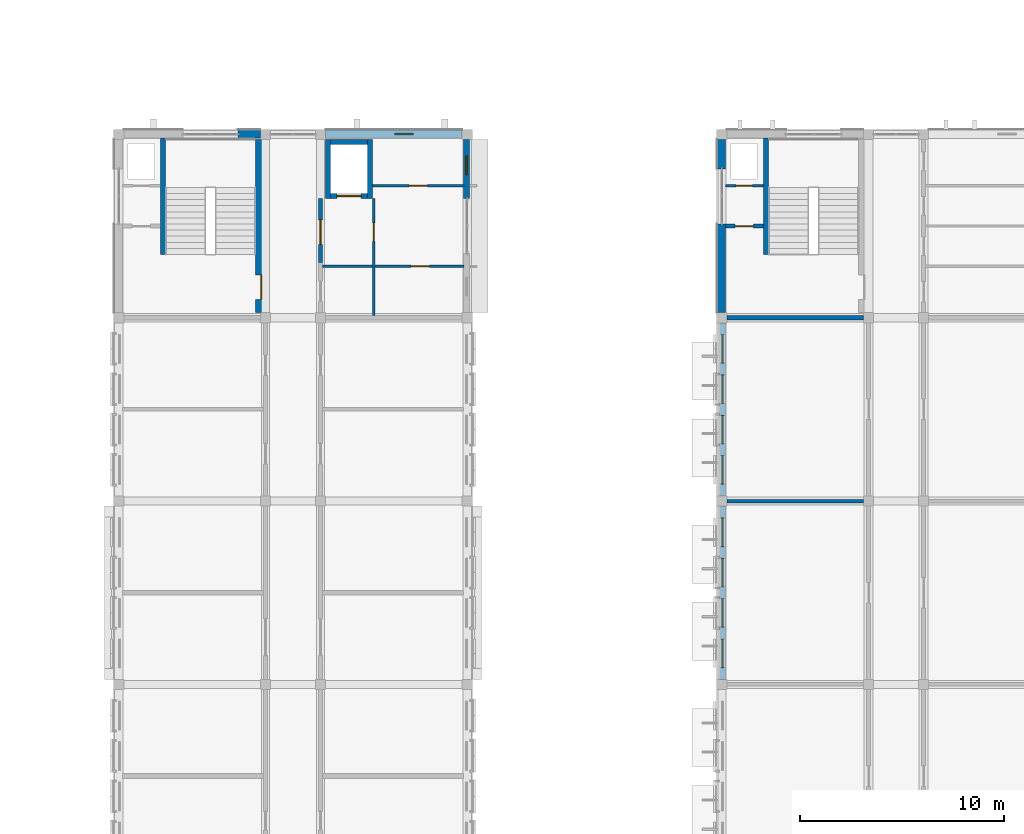
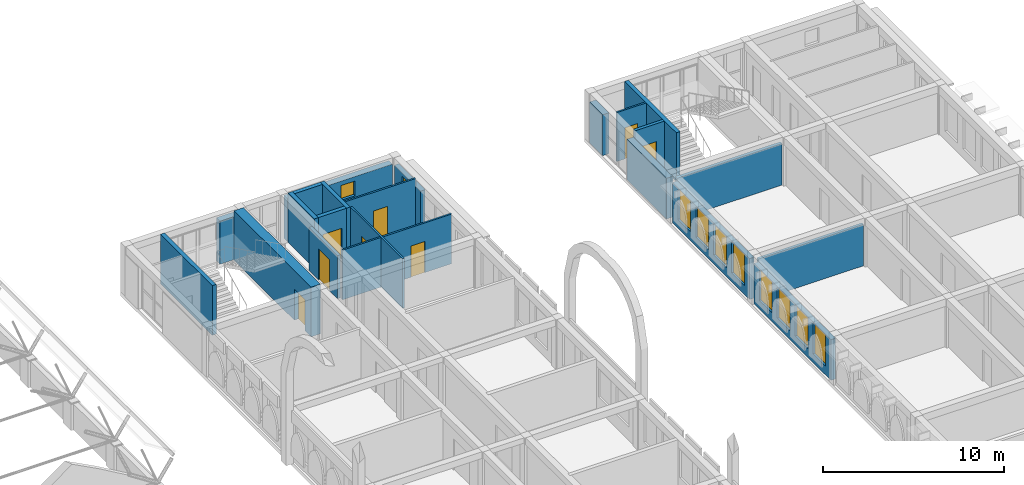
# One storey, part 42 of 65: 22 walls, 10 windows, 8 doors, 18 openings.
"""IFC4 building model written with IfcOpenShell, lengths in metres."""

from ifc_helpers import new_model, si_unit, direction, frame, frame_2d, origin, place, context, subcontext, project, spatial, rectangle, extrude, material, layer, layer_set, type_object, element, fill, save


model = new_model("IFC4")

# Units and contexts
model_context = context("Model", 3, precision=1e-05, world=origin(), true_north=direction((0.0, 1.0)))
body_context = subcontext(model_context, "Body", "Model", "MODEL_VIEW")
ifc_project = project(units=[si_unit("LENGTHUNIT", "METRE"), si_unit("AREAUNIT", "SQUARE_METRE"), si_unit("VOLUMEUNIT", "CUBIC_METRE"), si_unit("PLANEANGLEUNIT", "RADIAN"), si_unit("MASSUNIT", "GRAM", prefix="KILO")], contexts=[model_context])

# Site, building, storey
site_placement = place(None, origin())
site = spatial("IfcSite", under=ifc_project, at=site_placement, CompositionType="ELEMENT")
building_placement = place(site_placement, origin())
building = spatial("IfcBuilding", under=site, at=building_placement, Name="Elbe Cascade School", CompositionType="ELEMENT")
storey_placement = place(building_placement, frame((0.0, 0.0, 11.699951171875)))
storey = spatial("IfcBuildingStorey", under=building, at=storey_placement, Name="L03", CompositionType="ELEMENT", Elevation=11.699951171875)

# Wall
ifc_material_1 = material(Name="Masonry - lime-sand block, plastered", Category="masonry")
ifc_layer_1 = layer(ifc_material_1, 0.175048828125)
ifc_layer_set_1 = layer_set([ifc_layer_1], Name="Masonry - lime-sand block, plastered")
wall_type_1 = type_object("IfcWallType", Name="Bar classroom partition wall lime-sand block 175", PredefinedType="PARTITIONING", material=ifc_layer_set_1)
wall_1_placement = place(storey_placement, frame((98.85009765625, 42.0, 0.0), z_axis=(0.0, 0.0, 1.0), x_axis=(1.0, 0.0, 0.0)))
element("IfcWall", 1, at=wall_1_placement, inside=storey, type_object=wall_type_1, Name="Bar classroom partition wall lime-sand block 175", PredefinedType="PARTITIONING", context=body_context, shape_type="SweptSolid", body=[
    extrude(rectangle(XDim=6.699951171875, YDim=0.175048828125, at=frame_2d((3.35009765625, 0.0))), origin(), (0.0, 0.0, 1.0), 2.800048828125),
])

# Wall, opening, door
ifc_material_2 = material(Name="Masonry - lime-sand block, plastered", Category="masonry")
ifc_layer_2 = layer(ifc_material_2, 0.199951171875)
ifc_layer_set_2 = layer_set([ifc_layer_2], Name="Masonry - lime-sand block, plastered")
wall_type_2 = type_object("IfcWallType", Name="Bar corridor wall lime-sand block 200 EI 30", PredefinedType="PARTITIONING", material=ifc_layer_set_2)
wall_2_placement = place(storey_placement, frame((78.89990234375, 56.85009765625, 0.0), z_axis=(0.0, 0.0, 1.0), x_axis=(0.0, -1.0, 0.0)))
wall_2 = element("IfcWall", 2, at=wall_2_placement, inside=storey, type_object=wall_type_2, Name="Bar corridor wall lime-sand block 200 EI 30", PredefinedType="PARTITIONING", context=body_context, shape_type="SweptSolid", body=[
    extrude(rectangle(XDim=3.150146484375, YDim=0.199951171875, at=frame_2d((1.5751953125, 0.0))), origin(), (0.0, 0.0, 1.0), 2.900146484375),
])
opening_1_placement = place(wall_2_placement, frame((1.050048828125, 0.0, 0.0)))
opening_1 = element("IfcOpeningElement", 3, at=opening_1_placement, cuts=wall_2, Name="Opening D3.023", PredefinedType="OPENING", context=body_context, shape_type="SweptSolid", body=[
    extrude(rectangle(XDim=1.199951171875, YDim=2.10009765625, at=frame_2d((0.60009765625, 1.050048828125))), frame((0.0, 0.10986328125, 0.0), z_axis=(0.0, -1.0, 0.0), x_axis=(1.0, 0.0, 0.0)), (0.0, 0.0, 1.0), 0.219970703125),
])
ifc_material_3 = material(Name="Timber door leaf, fire-resisting and smoke-tight, steel frame", Category="steel")
door_type_1 = type_object("IfcDoorType", Name="Bar door FD30S 1200x2100", OperationType="NOTDEFINED", PredefinedType="DOOR", material=ifc_material_3)
door_1_placement = place(opening_1_placement, origin())
door_1 = element("IfcDoor", 4, at=door_1_placement, inside=storey, type_object=door_type_1, Name="Door A3.15", OperationType="SINGLE_SWING_LEFT", OverallHeight=2.10009765625, OverallWidth=1.199951171875, PredefinedType="DOOR", context=body_context, shape_type="SweptSolid", body=[
    extrude(rectangle(XDim=1.199951171875, YDim=2.10009765625, at=frame_2d((0.60009765625, 1.050048828125))), frame((0.0, 0.02490234375, 0.0), z_axis=(0.0, -1.0, 0.0), x_axis=(1.0, 0.0, 0.0)), (0.0, 0.0, 1.0), 0.050048828125),
])
fill(opening_1, door_1)

ifc_material_4 = material(Name="Masonry - lime-sand block, plastered", Category="masonry")
ifc_layer_3 = layer(ifc_material_4, 0.114990234375)
ifc_layer_set_3 = layer_set([ifc_layer_3], Name="Masonry - lime-sand block, plastered")
wall_type_3 = type_object("IfcWallType", Name="Bar light partition wall lime-sand block 115", PredefinedType="PARTITIONING", material=ifc_layer_set_3)
wall_3_placement = place(storey_placement, frame((81.507568359375, 56.85009765625, 0.0), z_axis=(0.0, 0.0, 1.0), x_axis=(0.0, -1.0, 0.0)))
wall_3 = element("IfcWall", 5, at=wall_3_placement, inside=storey, type_object=wall_type_3, Name="Bar light partition wall lime-sand block 115", PredefinedType="PARTITIONING", context=body_context, shape_type="SweptSolid", body=[
    extrude(rectangle(XDim=5.75, YDim=0.114990234375, at=frame_2d((2.875, 0.0))), origin(), (0.0, 0.0, 1.0), 3.35009765625),
])
opening_2_placement = place(wall_3_placement, frame((1.199951171875, 0.0, 0.0)))
opening_2 = element("IfcOpeningElement", 6, at=opening_2_placement, cuts=wall_3, Name="Opening D3.024", PredefinedType="OPENING", context=body_context, shape_type="SweptSolid", body=[
    extrude(rectangle(XDim=0.89990234375, YDim=2.10009765625, at=frame_2d((0.449951171875, 1.050048828125))), frame((0.0, 0.0673828125, 0.0), z_axis=(0.0, -1.0, 0.0), x_axis=(1.0, 0.0, 0.0)), (0.0, 0.0, 1.0), 0.135009765625),
])
ifc_material_5 = material(Name="Timber door leaf, steel frame", Category="steel")
door_type_2 = type_object("IfcDoorType", Name="Bar door 900x2100", OperationType="NOTDEFINED", PredefinedType="DOOR", material=ifc_material_5)
door_2_placement = place(opening_2_placement, origin())
door_2 = element("IfcDoor", 7, at=door_2_placement, inside=storey, type_object=door_type_2, Name="Door A3.16", OperationType="SINGLE_SWING_LEFT", OverallHeight=2.10009765625, OverallWidth=0.89990234375, PredefinedType="DOOR", context=body_context, shape_type="SweptSolid", body=[
    extrude(rectangle(XDim=0.89990234375, YDim=2.10009765625, at=frame_2d((0.449951171875, 1.050048828125))), frame((0.0, 0.02490234375, 0.0), z_axis=(0.0, -1.0, 0.0), x_axis=(1.0, 0.0, 0.0)), (0.0, 0.0, 1.0), 0.050048828125),
])
fill(opening_2, door_2)

wall_4_placement = place(storey_placement, frame((81.449951171875, 57.47998046875, 0.0), z_axis=(0.0, 0.0, 1.0), x_axis=(1.0, 0.0, 0.0)))
wall_4 = element("IfcWall", 8, at=wall_4_placement, inside=storey, type_object=wall_type_3, Name="Bar light partition wall lime-sand block 115", PredefinedType="PARTITIONING", context=body_context, shape_type="SweptSolid", body=[
    extrude(rectangle(XDim=4.5, YDim=0.114990234375, at=frame_2d((2.25, 0.0))), origin(), (0.0, 0.0, 1.0), 3.35009765625),
])
opening_3_placement = place(wall_4_placement, frame((1.800048828125, 0.0, 0.0)))
opening_3 = element("IfcOpeningElement", 9, at=opening_3_placement, cuts=wall_4, Name="Opening D3.028", PredefinedType="OPENING", context=body_context, shape_type="SweptSolid", body=[
    extrude(rectangle(XDim=0.89990234375, YDim=2.10009765625, at=frame_2d((0.449951171875, 1.050048828125))), frame((0.0, 0.0673828125, 0.0), z_axis=(0.0, -1.0, 0.0), x_axis=(1.0, 0.0, 0.0)), (0.0, 0.0, 1.0), 0.135009765625),
])
door_3_placement = place(opening_3_placement, origin())
door_3 = element("IfcDoor", 10, at=door_3_placement, inside=storey, type_object=door_type_2, Name="Door A3.17", OperationType="SINGLE_SWING_LEFT", OverallHeight=2.10009765625, OverallWidth=0.89990234375, PredefinedType="DOOR", context=body_context, shape_type="SweptSolid", body=[
    extrude(rectangle(XDim=0.89990234375, YDim=2.10009765625, at=frame_2d((0.449951171875, 1.050048828125))), frame((0.0, 0.02490234375, 0.0), z_axis=(0.0, -1.0, 0.0), x_axis=(1.0, 0.0, 0.0)), (0.0, 0.0, 1.0), 0.050048828125),
])
fill(opening_3, door_3)

wall_5_placement = place(storey_placement, frame((85.949951171875, 53.52001953125, 0.0), z_axis=(0.0, 0.0, 1.0), x_axis=(-1.0, 0.0, 0.0)))
wall_5 = element("IfcWall", 11, at=wall_5_placement, inside=storey, type_object=wall_type_3, Name="Bar light partition wall lime-sand block 115", PredefinedType="PARTITIONING", context=body_context, shape_type="SweptSolid", body=[
    extrude(rectangle(XDim=6.949951171875, YDim=0.114990234375, at=frame_2d((3.47509765625, 0.0))), origin(), (0.0, 0.0, 1.0), 3.35009765625),
])
opening_4_placement = place(wall_5_placement, frame((1.699951171875, 0.0, 0.0)))
opening_4 = element("IfcOpeningElement", 12, at=opening_4_placement, cuts=wall_5, Name="Opening D3.022", PredefinedType="OPENING", context=body_context, shape_type="SweptSolid", body=[
    extrude(rectangle(XDim=0.89990234375, YDim=2.10009765625, at=frame_2d((0.449951171875, 1.050048828125))), frame((0.0, 0.0673828125, 0.0), z_axis=(0.0, -1.0, 0.0), x_axis=(1.0, 0.0, 0.0)), (0.0, 0.0, 1.0), 0.135009765625),
])
door_4_placement = place(opening_4_placement, origin())
door_4 = element("IfcDoor", 13, at=door_4_placement, inside=storey, type_object=door_type_2, Name="Door A3.18", OperationType="SINGLE_SWING_RIGHT", OverallHeight=2.10009765625, OverallWidth=0.89990234375, PredefinedType="DOOR", context=body_context, shape_type="SweptSolid", body=[
    extrude(rectangle(XDim=0.89990234375, YDim=2.10009765625, at=frame_2d((0.449951171875, 1.050048828125))), frame((0.0, 0.02490234375, 0.0), z_axis=(0.0, -1.0, 0.0), x_axis=(1.0, 0.0, 0.0)), (0.0, 0.0, 1.0), 0.050048828125),
])
fill(opening_4, door_4)

wall_6_placement = place(storey_placement, frame((98.780029296875, 57.47998046875, 0.0), z_axis=(0.0, 0.0, 1.0), x_axis=(1.0, 0.0, 0.0)))
wall_6 = element("IfcWall", 14, at=wall_6_placement, inside=storey, type_object=wall_type_3, Name="Bar light partition wall lime-sand block 115", PredefinedType="PARTITIONING", context=body_context, shape_type="SweptSolid", body=[
    extrude(rectangle(XDim=1.869873046875, YDim=0.114990234375, at=frame_2d((0.93505859375, 0.0))), origin(), (0.0, 0.0, 1.0), 3.300048828125),
])
opening_5_placement = place(wall_6_placement, frame((0.52001953125, 0.0, 0.0)))
opening_5 = element("IfcOpeningElement", 15, at=opening_5_placement, cuts=wall_6, Name="Opening D3.053", PredefinedType="OPENING", context=body_context, shape_type="SweptSolid", body=[
    extrude(rectangle(XDim=0.800048828125, YDim=2.10009765625, at=frame_2d((0.39990234375, 1.050048828125))), frame((0.0, 0.0673828125, 0.0), z_axis=(0.0, -1.0, 0.0), x_axis=(1.0, 0.0, 0.0)), (0.0, 0.0, 1.0), 0.135009765625),
])
ifc_material_6 = material(Name="Timber door leaf, steel frame", Category="steel")
door_type_3 = type_object("IfcDoorType", Name="Bar door 800x2100", OperationType="NOTDEFINED", PredefinedType="DOOR", material=ifc_material_6)
door_5_placement = place(opening_5_placement, origin())
door_5 = element("IfcDoor", 16, at=door_5_placement, inside=storey, type_object=door_type_3, Name="Door B3.14", OperationType="SINGLE_SWING_LEFT", OverallHeight=2.10009765625, OverallWidth=0.800048828125, PredefinedType="DOOR", context=body_context, shape_type="SweptSolid", body=[
    extrude(rectangle(XDim=0.800048828125, YDim=2.10009765625, at=frame_2d((0.39990234375, 1.050048828125))), frame((0.0, 0.02490234375, 0.0), z_axis=(0.0, -1.0, 0.0), x_axis=(1.0, 0.0, 0.0)), (0.0, 0.0, 1.0), 0.050048828125),
])
fill(opening_5, door_5)

# Walls
ifc_material_7 = material(Name="Concrete C30/37", Category="concrete")
ifc_layer_4 = layer(ifc_material_7, 0.25)
ifc_layer_set_4 = layer_set([ifc_layer_4], Name="Concrete C30/37")
wall_type_4 = type_object("IfcWallType", Name="Bar stair core wall RC 250", PredefinedType="SOLIDWALL", material=ifc_layer_set_4)
wall_7_placement = place(storey_placement, frame((71.175048828125, 54.10009765625, 0.0), z_axis=(0.0, 0.0, 1.0), x_axis=(0.0, 1.0, 0.0)))
element("IfcWall", 17, at=wall_7_placement, inside=storey, type_object=wall_type_4, Name="Bar stair core wall RC 250", PredefinedType="SOLIDWALL", context=body_context, shape_type="SweptSolid", body=[
    extrude(rectangle(XDim=5.719970703125, YDim=0.25, at=frame_2d((2.85986328125, 0.0))), origin(), (0.0, 0.0, 1.0), 3.35009765625),
])
wall_8_placement = place(storey_placement, frame((100.77490234375, 54.10009765625, 0.0), z_axis=(0.0, 0.0, 1.0), x_axis=(0.0, 1.0, 0.0)))
element("IfcWall", 18, at=wall_8_placement, inside=storey, type_object=wall_type_4, Name="Bar stair core wall RC 250", PredefinedType="SOLIDWALL", context=body_context, shape_type="SweptSolid", body=[
    extrude(rectangle(XDim=5.719970703125, YDim=0.25, at=frame_2d((2.85986328125, 0.0))), origin(), (0.0, 0.0, 1.0), 3.300048828125),
])

# Wall, opening, door
ifc_material_8 = material(Name="Concrete C30/37", Category="concrete")
ifc_layer_5 = layer(ifc_material_8, 0.60009765625)
ifc_layer_set_5 = layer_set([ifc_layer_5], Name="Concrete C30/37")
wall_type_5 = type_object("IfcWallType", Name="Bar stair core wall RC 600", PredefinedType="SOLIDWALL", material=ifc_layer_set_5)
wall_9_placement = place(storey_placement, frame((76.0, 51.25, 0.0), z_axis=(0.0, 0.0, 1.0), x_axis=(0.0, 1.0, 0.0)))
wall_9 = element("IfcWall", 19, at=wall_9_placement, inside=storey, type_object=wall_type_5, Name="Bar stair core wall RC 600", PredefinedType="SOLIDWALL", context=body_context, shape_type="SweptSolid", body=[
    extrude(rectangle(XDim=8.5, YDim=0.60009765625, at=frame_2d((4.25, 0.0))), origin(), (0.0, 0.0, 1.0), 3.35009765625),
])
opening_6_placement = place(wall_9_placement, frame((0.64990234375, 0.0, 0.0)))
opening_6 = element("IfcOpeningElement", 20, at=opening_6_placement, cuts=wall_9, Name="Opening D3.021", PredefinedType="OPENING", context=body_context, shape_type="SweptSolid", body=[
    extrude(rectangle(XDim=1.199951171875, YDim=2.10009765625, at=frame_2d((0.60009765625, 1.050048828125))), frame((0.0, 0.31005859375, 0.0), z_axis=(0.0, -1.0, 0.0), x_axis=(1.0, 0.0, 0.0)), (0.0, 0.0, 1.0), 0.6201171875),
])
door_6_placement = place(opening_6_placement, origin())
door_6 = element("IfcDoor", 21, at=door_6_placement, inside=storey, type_object=door_type_1, Name="Door A3.12", OperationType="SINGLE_SWING_RIGHT", OverallHeight=2.10009765625, OverallWidth=1.199951171875, PredefinedType="DOOR", context=body_context, shape_type="SweptSolid", body=[
    extrude(rectangle(XDim=1.199951171875, YDim=2.10009765625, at=frame_2d((0.60009765625, 1.050048828125))), frame((0.0, 0.02490234375, 0.0), z_axis=(0.0, -1.0, 0.0), x_axis=(1.0, 0.0, 0.0)), (0.0, 0.0, 1.0), 0.050048828125),
])
fill(opening_6, door_6)

ifc_material_9 = material(Name="Concrete C30/37", Category="concrete")
ifc_layer_6 = layer(ifc_material_9, 0.199951171875)
ifc_layer_set_6 = layer_set([ifc_layer_6], Name="Concrete C30/37")
wall_type_6 = type_object("IfcWallType", Name="Bar stair lobby wall RC 200", PredefinedType="SOLIDWALL", material=ifc_layer_set_6)
wall_10_placement = place(storey_placement, frame((98.780029296875, 55.5, 0.0), z_axis=(0.0, 0.0, 1.0), x_axis=(1.0, 0.0, 0.0)))
wall_10 = element("IfcWall", 22, at=wall_10_placement, inside=storey, type_object=wall_type_6, Name="Bar stair lobby wall RC 200", PredefinedType="SOLIDWALL", context=body_context, shape_type="SweptSolid", body=[
    extrude(rectangle(XDim=1.869873046875, YDim=0.199951171875, at=frame_2d((0.93505859375, 0.0))), origin(), (0.0, 0.0, 1.0), 3.300048828125),
])
opening_7_placement = place(wall_10_placement, frame((0.469970703125, 0.0, 0.0)))
opening_7 = element("IfcOpeningElement", 23, at=opening_7_placement, cuts=wall_10, Name="Opening D3.051", PredefinedType="OPENING", context=body_context, shape_type="SweptSolid", body=[
    extrude(rectangle(XDim=0.89990234375, YDim=2.10009765625, at=frame_2d((0.449951171875, 1.050048828125))), frame((0.0, 0.10986328125, 0.0), z_axis=(0.0, -1.0, 0.0), x_axis=(1.0, 0.0, 0.0)), (0.0, 0.0, 1.0), 0.219970703125),
])
ifc_material_10 = material(Name="Timber door leaf, fire-resisting and smoke-tight, steel frame", Category="steel")
door_type_4 = type_object("IfcDoorType", Name="Bar door FD30S 900x2100", OperationType="NOTDEFINED", PredefinedType="DOOR", material=ifc_material_10)
door_7_placement = place(opening_7_placement, origin())
door_7 = element("IfcDoor", 24, at=door_7_placement, inside=storey, type_object=door_type_4, Name="Door B3.13", OperationType="SINGLE_SWING_RIGHT", OverallHeight=2.10009765625, OverallWidth=0.89990234375, PredefinedType="DOOR", context=body_context, shape_type="SweptSolid", body=[
    extrude(rectangle(XDim=0.89990234375, YDim=2.10009765625, at=frame_2d((0.449951171875, 1.050048828125))), frame((0.0, 0.02490234375, 0.0), z_axis=(0.0, -1.0, 0.0), x_axis=(1.0, 0.0, 0.0)), (0.0, 0.0, 1.0), 0.050048828125),
])
fill(opening_7, door_7)

# Wall
wall_11_placement = place(storey_placement, frame((98.85009765625, 51.0, 0.0), z_axis=(0.0, 0.0, 1.0), x_axis=(1.0, 0.0, 0.0)))
element("IfcWall", 25, at=wall_11_placement, inside=storey, type_object=wall_type_6, Name="Bar stair lobby wall RC 200", PredefinedType="SOLIDWALL", context=body_context, shape_type="SweptSolid", body=[
    extrude(rectangle(XDim=6.699951171875, YDim=0.199951171875, at=frame_2d((3.35009765625, 0.0))), origin(), (0.0, 0.0, 1.0), 2.800048828125),
])

# Wall, opening, window
ifc_material_11 = material(Name="Brick masonry - red clinker, cavity wall with render backing", Category="masonry")
ifc_layer_7 = layer(ifc_material_11, 0.300048828125)
ifc_layer_set_7 = layer_set([ifc_layer_7], Name="Brick masonry - red clinker, cavity wall with render backing")
wall_type_7 = type_object("IfcWallType", Name="Bars envelope External wall - clinker brick cavity, 300 upper floors", PredefinedType="STANDARD", material=ifc_layer_set_7)
wall_12_placement = place(storey_placement, frame((86.070068359375, 59.75, 0.0), z_axis=(0.0, 0.0, 1.0), x_axis=(0.0, -1.0, 0.0)))
wall_12 = element("IfcWall", 26, at=wall_12_placement, inside=storey, type_object=wall_type_7, Name="External wall W30 A.L03.e6b", PredefinedType="STANDARD", context=body_context, shape_type="SweptSolid", body=[
    extrude(rectangle(XDim=2.89990234375, YDim=0.300048828125, at=frame_2d((1.449951171875, 0.0))), origin(), (0.0, 0.0, 1.0), 2.85009765625),
])
opening_8_placement = place(wall_12_placement, frame((0.830078125, 0.0, 1.60009765625)))
opening_8 = element("IfcOpeningElement", 27, at=opening_8_placement, cuts=wall_12, Name="Opening W3.037", PredefinedType="OPENING", context=body_context, shape_type="SweptSolid", body=[
    extrude(rectangle(XDim=0.89990234375, YDim=1.0, at=frame_2d((0.449951171875, 0.5))), frame((0.0, 0.159912109375, 0.0), z_axis=(0.0, -1.0, 0.0), x_axis=(1.0, 0.0, 0.0)), (0.0, 0.0, 1.0), 0.320068359375),
])
ifc_material_12 = material(Name="Aluminium frame with double glazing, bronze anodised", Category="aluminium")
window_type_1 = type_object("IfcWindowType", Name="Bars envelope Window 900 x 1000, WC and service room, high level, aluminium double glazed", PartitioningType="SINGLE_PANEL", PredefinedType="WINDOW", material=ifc_material_12)
window_1_placement = place(opening_8_placement, origin())
window_1 = element("IfcWindow", 28, at=window_1_placement, inside=storey, type_object=window_type_1, Name="Window WN4 A.L03.e6b.1", OverallHeight=1.0, OverallWidth=0.89990234375, PartitioningType="SINGLE_PANEL", PredefinedType="WINDOW", context=body_context, shape_type="SweptSolid", body=[
    extrude(rectangle(XDim=0.89990234375, YDim=1.0, at=frame_2d((0.449951171875, 0.5))), frame((0.0, 0.030029296875, 0.0), z_axis=(0.0, -1.0, 0.0), x_axis=(1.0, 0.0, 0.0)), (0.0, 0.0, 1.0), 0.06005859375),
])
fill(opening_8, window_1)

# Wall, openings, windows
wall_13_placement = place(storey_placement, frame((98.6298828125, 33.25, 0.0), z_axis=(0.0, 0.0, 1.0), x_axis=(0.0, 1.0, 0.0)))
wall_13 = element("IfcWall", 29, at=wall_13_placement, inside=storey, type_object=wall_type_7, Name="External wall W30 B.L03.w4", PredefinedType="STANDARD", context=body_context, shape_type="SweptSolid", body=[
    extrude(rectangle(XDim=8.5, YDim=0.300048828125, at=frame_2d((4.25, 0.0))), origin(), (0.0, 0.0, 1.0), 2.75),
])
opening_9_placement = place(wall_13_placement, frame((0.580078125, 0.0, 0.60009765625)))
opening_9 = element("IfcOpeningElement", 30, at=opening_9_placement, cuts=wall_13, Name="Opening W3.058", PredefinedType="OPENING", context=body_context, shape_type="SweptSolid", body=[
    extrude(rectangle(XDim=1.39990234375, YDim=2.10009765625, at=frame_2d((0.699951171875, 1.050048828125))), frame((0.0, 0.159912109375, 0.0), z_axis=(0.0, -1.0, 0.0), x_axis=(1.0, 0.0, 0.0)), (0.0, 0.0, 1.0), 0.320068359375),
])
opening_10_placement = place(wall_13_placement, frame((2.56005859375, 0.0, 0.60009765625)))
opening_10 = element("IfcOpeningElement", 31, at=opening_10_placement, cuts=wall_13, Name="Opening W3.060", PredefinedType="OPENING", context=body_context, shape_type="SweptSolid", body=[
    extrude(rectangle(XDim=1.39990234375, YDim=2.10009765625, at=frame_2d((0.699951171875, 1.050048828125))), frame((0.0, 0.159912109375, 0.0), z_axis=(0.0, -1.0, 0.0), x_axis=(1.0, 0.0, 0.0)), (0.0, 0.0, 1.0), 0.320068359375),
])
opening_11_placement = place(wall_13_placement, frame((4.5400390625, 0.0, 0.60009765625)))
opening_11 = element("IfcOpeningElement", 32, at=opening_11_placement, cuts=wall_13, Name="Opening W3.062", PredefinedType="OPENING", context=body_context, shape_type="SweptSolid", body=[
    extrude(rectangle(XDim=1.39990234375, YDim=2.10009765625, at=frame_2d((0.699951171875, 1.050048828125))), frame((0.0, 0.159912109375, 0.0), z_axis=(0.0, -1.0, 0.0), x_axis=(1.0, 0.0, 0.0)), (0.0, 0.0, 1.0), 0.320068359375),
])
opening_12_placement = place(wall_13_placement, frame((6.52001953125, 0.0, 0.60009765625)))
opening_12 = element("IfcOpeningElement", 33, at=opening_12_placement, cuts=wall_13, Name="Opening W3.064", PredefinedType="OPENING", context=body_context, shape_type="SweptSolid", body=[
    extrude(rectangle(XDim=1.39990234375, YDim=2.10009765625, at=frame_2d((0.699951171875, 1.050048828125))), frame((0.0, 0.159912109375, 0.0), z_axis=(0.0, -1.0, 0.0), x_axis=(1.0, 0.0, 0.0)), (0.0, 0.0, 1.0), 0.320068359375),
])
ifc_material_13 = material(Name="Aluminium frame with double glazing, bronze anodised", Category="aluminium")
window_type_2 = type_object("IfcWindowType", Name="Bars envelope Window 1400 x 2100, classroom, aluminium double glazed", PartitioningType="DOUBLE_PANEL_VERTICAL", PredefinedType="WINDOW", material=ifc_material_13)
window_2_placement = place(opening_9_placement, origin())
window_2 = element("IfcWindow", 34, at=window_2_placement, inside=storey, type_object=window_type_2, Name="Window WN8 B.L03.w4.1", OverallHeight=2.10009765625, OverallWidth=1.39990234375, PartitioningType="DOUBLE_PANEL_VERTICAL", PredefinedType="WINDOW", context=body_context, shape_type="SweptSolid", body=[
    extrude(rectangle(XDim=1.39990234375, YDim=2.10009765625, at=frame_2d((0.699951171875, 1.050048828125))), frame((0.0, 0.030029296875, 0.0), z_axis=(0.0, -1.0, 0.0), x_axis=(1.0, 0.0, 0.0)), (0.0, 0.0, 1.0), 0.06005859375),
])
fill(opening_9, window_2)
window_3_placement = place(opening_10_placement, origin())
window_3 = element("IfcWindow", 35, at=window_3_placement, inside=storey, type_object=window_type_2, Name="Window WN8 B.L03.w4.2", OverallHeight=2.10009765625, OverallWidth=1.39990234375, PartitioningType="DOUBLE_PANEL_VERTICAL", PredefinedType="WINDOW", context=body_context, shape_type="SweptSolid", body=[
    extrude(rectangle(XDim=1.39990234375, YDim=2.10009765625, at=frame_2d((0.699951171875, 1.050048828125))), frame((0.0, 0.030029296875, 0.0), z_axis=(0.0, -1.0, 0.0), x_axis=(1.0, 0.0, 0.0)), (0.0, 0.0, 1.0), 0.06005859375),
])
fill(opening_10, window_3)
window_4_placement = place(opening_11_placement, origin())
window_4 = element("IfcWindow", 36, at=window_4_placement, inside=storey, type_object=window_type_2, Name="Window WN8 B.L03.w4.3", OverallHeight=2.10009765625, OverallWidth=1.39990234375, PartitioningType="DOUBLE_PANEL_VERTICAL", PredefinedType="WINDOW", context=body_context, shape_type="SweptSolid", body=[
    extrude(rectangle(XDim=1.39990234375, YDim=2.10009765625, at=frame_2d((0.699951171875, 1.050048828125))), frame((0.0, 0.030029296875, 0.0), z_axis=(0.0, -1.0, 0.0), x_axis=(1.0, 0.0, 0.0)), (0.0, 0.0, 1.0), 0.06005859375),
])
fill(opening_11, window_4)
window_5_placement = place(opening_12_placement, origin())
window_5 = element("IfcWindow", 37, at=window_5_placement, inside=storey, type_object=window_type_2, Name="Window WN8 B.L03.w4.4", OverallHeight=2.10009765625, OverallWidth=1.39990234375, PartitioningType="DOUBLE_PANEL_VERTICAL", PredefinedType="WINDOW", context=body_context, shape_type="SweptSolid", body=[
    extrude(rectangle(XDim=1.39990234375, YDim=2.10009765625, at=frame_2d((0.699951171875, 1.050048828125))), frame((0.0, 0.030029296875, 0.0), z_axis=(0.0, -1.0, 0.0), x_axis=(1.0, 0.0, 0.0)), (0.0, 0.0, 1.0), 0.06005859375),
])
fill(opening_12, window_5)

wall_14_placement = place(storey_placement, frame((98.6298828125, 42.25, 0.0), z_axis=(0.0, 0.0, 1.0), x_axis=(0.0, 1.0, 0.0)))
wall_14 = element("IfcWall", 38, at=wall_14_placement, inside=storey, type_object=wall_type_7, Name="External wall W30 B.L03.w5", PredefinedType="STANDARD", context=body_context, shape_type="SweptSolid", body=[
    extrude(rectangle(XDim=8.5, YDim=0.300048828125, at=frame_2d((4.25, 0.0))), origin(), (0.0, 0.0, 1.0), 2.75),
])
opening_13_placement = place(wall_14_placement, frame((0.580078125, 0.0, 0.60009765625)))
opening_13 = element("IfcOpeningElement", 39, at=opening_13_placement, cuts=wall_14, Name="Opening W3.066", PredefinedType="OPENING", context=body_context, shape_type="SweptSolid", body=[
    extrude(rectangle(XDim=1.39990234375, YDim=2.10009765625, at=frame_2d((0.699951171875, 1.050048828125))), frame((0.0, 0.159912109375, 0.0), z_axis=(0.0, -1.0, 0.0), x_axis=(1.0, 0.0, 0.0)), (0.0, 0.0, 1.0), 0.320068359375),
])
opening_14_placement = place(wall_14_placement, frame((2.56005859375, 0.0, 0.60009765625)))
opening_14 = element("IfcOpeningElement", 40, at=opening_14_placement, cuts=wall_14, Name="Opening W3.068", PredefinedType="OPENING", context=body_context, shape_type="SweptSolid", body=[
    extrude(rectangle(XDim=1.39990234375, YDim=2.10009765625, at=frame_2d((0.699951171875, 1.050048828125))), frame((0.0, 0.159912109375, 0.0), z_axis=(0.0, -1.0, 0.0), x_axis=(1.0, 0.0, 0.0)), (0.0, 0.0, 1.0), 0.320068359375),
])
opening_15_placement = place(wall_14_placement, frame((4.5400390625, 0.0, 0.60009765625)))
opening_15 = element("IfcOpeningElement", 41, at=opening_15_placement, cuts=wall_14, Name="Opening W3.070", PredefinedType="OPENING", context=body_context, shape_type="SweptSolid", body=[
    extrude(rectangle(XDim=1.39990234375, YDim=2.10009765625, at=frame_2d((0.699951171875, 1.050048828125))), frame((0.0, 0.159912109375, 0.0), z_axis=(0.0, -1.0, 0.0), x_axis=(1.0, 0.0, 0.0)), (0.0, 0.0, 1.0), 0.320068359375),
])
opening_16_placement = place(wall_14_placement, frame((6.52001953125, 0.0, 0.60009765625)))
opening_16 = element("IfcOpeningElement", 42, at=opening_16_placement, cuts=wall_14, Name="Opening W3.072", PredefinedType="OPENING", context=body_context, shape_type="SweptSolid", body=[
    extrude(rectangle(XDim=1.39990234375, YDim=2.10009765625, at=frame_2d((0.699951171875, 1.050048828125))), frame((0.0, 0.159912109375, 0.0), z_axis=(0.0, -1.0, 0.0), x_axis=(1.0, 0.0, 0.0)), (0.0, 0.0, 1.0), 0.320068359375),
])
window_6_placement = place(opening_13_placement, origin())
window_6 = element("IfcWindow", 43, at=window_6_placement, inside=storey, type_object=window_type_2, Name="Window WN8 B.L03.w5.1", OverallHeight=2.10009765625, OverallWidth=1.39990234375, PartitioningType="DOUBLE_PANEL_VERTICAL", PredefinedType="WINDOW", context=body_context, shape_type="SweptSolid", body=[
    extrude(rectangle(XDim=1.39990234375, YDim=2.10009765625, at=frame_2d((0.699951171875, 1.050048828125))), frame((0.0, 0.030029296875, 0.0), z_axis=(0.0, -1.0, 0.0), x_axis=(1.0, 0.0, 0.0)), (0.0, 0.0, 1.0), 0.06005859375),
])
fill(opening_13, window_6)
window_7_placement = place(opening_14_placement, origin())
window_7 = element("IfcWindow", 44, at=window_7_placement, inside=storey, type_object=window_type_2, Name="Window WN8 B.L03.w5.2", OverallHeight=2.10009765625, OverallWidth=1.39990234375, PartitioningType="DOUBLE_PANEL_VERTICAL", PredefinedType="WINDOW", context=body_context, shape_type="SweptSolid", body=[
    extrude(rectangle(XDim=1.39990234375, YDim=2.10009765625, at=frame_2d((0.699951171875, 1.050048828125))), frame((0.0, 0.030029296875, 0.0), z_axis=(0.0, -1.0, 0.0), x_axis=(1.0, 0.0, 0.0)), (0.0, 0.0, 1.0), 0.06005859375),
])
fill(opening_14, window_7)
window_8_placement = place(opening_15_placement, origin())
window_8 = element("IfcWindow", 45, at=window_8_placement, inside=storey, type_object=window_type_2, Name="Window WN8 B.L03.w5.3", OverallHeight=2.10009765625, OverallWidth=1.39990234375, PartitioningType="DOUBLE_PANEL_VERTICAL", PredefinedType="WINDOW", context=body_context, shape_type="SweptSolid", body=[
    extrude(rectangle(XDim=1.39990234375, YDim=2.10009765625, at=frame_2d((0.699951171875, 1.050048828125))), frame((0.0, 0.030029296875, 0.0), z_axis=(0.0, -1.0, 0.0), x_axis=(1.0, 0.0, 0.0)), (0.0, 0.0, 1.0), 0.06005859375),
])
fill(opening_15, window_8)
window_9_placement = place(opening_16_placement, origin())
window_9 = element("IfcWindow", 46, at=window_9_placement, inside=storey, type_object=window_type_2, Name="Window WN8 B.L03.w5.4", OverallHeight=2.10009765625, OverallWidth=1.39990234375, PartitioningType="DOUBLE_PANEL_VERTICAL", PredefinedType="WINDOW", context=body_context, shape_type="SweptSolid", body=[
    extrude(rectangle(XDim=1.39990234375, YDim=2.10009765625, at=frame_2d((0.699951171875, 1.050048828125))), frame((0.0, 0.030029296875, 0.0), z_axis=(0.0, -1.0, 0.0), x_axis=(1.0, 0.0, 0.0)), (0.0, 0.0, 1.0), 0.06005859375),
])
fill(opening_16, window_9)

# Wall
ifc_material_14 = material(Name="Brick masonry - red clinker, solid, sandstone-faced", Category="masonry")
ifc_layer_8 = layer(ifc_material_14, 0.39990234375)
ifc_layer_set_8 = layer_set([ifc_layer_8], Name="Brick masonry - red clinker, solid, sandstone-faced")
wall_type_8 = type_object("IfcWallType", Name="Bars envelope External wall - solid masonry core strip, sandstone faced, 400", PredefinedType="STANDARD", material=ifc_layer_set_8)
wall_15_placement = place(storey_placement, frame((74.85009765625, 60.02001953125, 0.0), z_axis=(0.0, 0.0, 1.0), x_axis=(1.0, 0.0, 0.0)))
element("IfcWall", 47, at=wall_15_placement, inside=storey, type_object=wall_type_8, Name="External wall W31 A.L03.n1b", PredefinedType="STANDARD", context=body_context, shape_type="SweptSolid", body=[
    extrude(rectangle(XDim=1.099853515625, YDim=0.39990234375, at=frame_2d((0.5498046875, 0.0))), origin(), (0.0, 0.0, 1.0), 2.900146484375),
])

# Wall, opening, window
wall_16_placement = place(storey_placement, frame((79.14990234375, 60.02001953125, 0.0), z_axis=(0.0, 0.0, 1.0), x_axis=(1.0, 0.0, 0.0)))
wall_16 = element("IfcWall", 48, at=wall_16_placement, inside=storey, type_object=wall_type_8, Name="External wall W31 A.L03.n3", PredefinedType="STANDARD", context=body_context, shape_type="SweptSolid", body=[
    extrude(rectangle(XDim=6.7001953125, YDim=0.39990234375, at=frame_2d((3.35009765625, 0.0))), origin(), (0.0, 0.0, 1.0), 2.900146484375),
])
opening_17_placement = place(wall_16_placement, frame((3.39990234375, 0.0, 1.60009765625)))
opening_17 = element("IfcOpeningElement", 49, at=opening_17_placement, cuts=wall_16, Name="Opening W3.038", PredefinedType="OPENING", context=body_context, shape_type="SweptSolid", body=[
    extrude(rectangle(XDim=0.89990234375, YDim=1.0, at=frame_2d((0.449951171875, 0.5))), frame((0.0, 0.2099609375, 0.0), z_axis=(0.0, -1.0, 0.0), x_axis=(1.0, 0.0, 0.0)), (0.0, 0.0, 1.0), 0.419921875),
])
window_10_placement = place(opening_17_placement, origin())
window_10 = element("IfcWindow", 50, at=window_10_placement, inside=storey, type_object=window_type_1, Name="Window WN4 A.L03.n3.1", OverallHeight=1.0, OverallWidth=0.89990234375, PartitioningType="SINGLE_PANEL", PredefinedType="WINDOW", context=body_context, shape_type="SweptSolid", body=[
    extrude(rectangle(XDim=0.89990234375, YDim=1.0, at=frame_2d((0.449951171875, 0.5))), frame((0.0, 0.030029296875, 0.0), z_axis=(0.0, -1.0, 0.0), x_axis=(1.0, 0.0, 0.0)), (0.0, 0.0, 1.0), 0.06005859375),
])
fill(opening_17, window_10)

# Walls
wall_17_placement = place(storey_placement, frame((98.580078125, 51.25, 0.0), z_axis=(0.0, 0.0, 1.0), x_axis=(0.0, 1.0, 0.0)))
element("IfcWall", 51, at=wall_17_placement, inside=storey, type_object=wall_type_8, Name="External wall W31 B.L03.w6a", PredefinedType="STANDARD", context=body_context, shape_type="SweptSolid", body=[
    extrude(rectangle(XDim=4.360107421875, YDim=0.39990234375, at=frame_2d((2.18017578125, 0.0))), origin(), (0.0, 0.0, 1.0), 2.75),
])
wall_18_placement = place(storey_placement, frame((98.580078125, 58.31005859375, 0.0), z_axis=(0.0, 0.0, 1.0), x_axis=(0.0, 1.0, 0.0)))
element("IfcWall", 52, at=wall_18_placement, inside=storey, type_object=wall_type_8, Name="External wall W31 B.L03.w6b", PredefinedType="STANDARD", context=body_context, shape_type="SweptSolid", body=[
    extrude(rectangle(XDim=1.43994140625, YDim=0.39990234375, at=frame_2d((0.719970703125, 0.0))), origin(), (0.0, 0.0, 1.0), 2.75),
])
ifc_material_15 = material(Name="Concrete C30/37", Category="concrete")
ifc_layer_9 = layer(ifc_material_15, 0.25)
ifc_layer_set_9 = layer_set([ifc_layer_9], Name="Concrete C30/37")
wall_type_9 = type_object("IfcWallType", Name="Shaft wall 250", PredefinedType="SHEAR", material=ifc_layer_set_9)
for number, where, z_axis, x_axis, name in (
    (53, (79.27490234375, 56.85009765625, 0.0), (0.0, 0.0, 1.0), (0.0, 1.0, 0.0), "Shaft wall 250 W1"),
    (54, (81.324951171875, 56.85009765625, 0.0), (0.0, 0.0, 1.0), (0.0, 1.0, 0.0), "Shaft wall 250 W1"),
):
    element("IfcWall", number, at=place(storey_placement, frame(where, z_axis=z_axis, x_axis=x_axis)), inside=storey, type_object=wall_type_9, Name=name, PredefinedType="SHEAR", context=body_context, shape_type="SweptSolid", body=[
        extrude(rectangle(XDim=2.89990234375, YDim=0.25, at=frame_2d((1.449951171875, 0.0))), origin(), (0.0, 0.0, 1.0), 3.35009765625),
    ])

# Wall, opening, door
wall_19_placement = place(storey_placement, frame((79.39990234375, 56.97509765625, 0.0), z_axis=(0.0, 0.0, 1.0), x_axis=(1.0, 0.0, 0.0)))
wall_19 = element("IfcWall", 55, at=wall_19_placement, inside=storey, type_object=wall_type_9, Name="Shaft wall 250 W1", PredefinedType="SHEAR", context=body_context, shape_type="SweptSolid", body=[
    extrude(rectangle(XDim=1.800048828125, YDim=0.25, at=frame_2d((0.89990234375, 0.0))), origin(), (0.0, 0.0, 1.0), 3.35009765625),
])
opening_18_placement = place(wall_19_placement, frame((0.300048828125, 0.0, 0.0)))
opening_18 = element("IfcOpeningElement", 56, at=opening_18_placement, cuts=wall_19, Name="Opening D3.026", PredefinedType="OPENING", context=body_context, shape_type="SweptSolid", body=[
    extrude(rectangle(XDim=1.199951171875, YDim=2.10009765625, at=frame_2d((0.60009765625, 1.050048828125))), frame((0.0, 0.135009765625, 0.0), z_axis=(0.0, -1.0, 0.0), x_axis=(1.0, 0.0, 0.0)), (0.0, 0.0, 1.0), 0.27001953125),
])
ifc_material_16 = material(Name="Stainless steel sliding door leaf", Category="steel")
door_type_5 = type_object("IfcDoorType", Name="Bar lift landing door 1200x2100", OperationType="SLIDING_TO_LEFT", PredefinedType="DOOR", material=ifc_material_16)
door_8_placement = place(opening_18_placement, origin())
door_8 = element("IfcDoor", 57, at=door_8_placement, inside=storey, type_object=door_type_5, Name="Lift landing door LDA3.2", OperationType="SLIDING_TO_LEFT", OverallHeight=2.10009765625, OverallWidth=1.199951171875, PredefinedType="DOOR", context=body_context, shape_type="SweptSolid", body=[
    extrude(rectangle(XDim=1.199951171875, YDim=2.10009765625, at=frame_2d((0.60009765625, 1.050048828125))), frame((0.0, 0.02490234375, 0.0), z_axis=(0.0, -1.0, 0.0), x_axis=(1.0, 0.0, 0.0)), (0.0, 0.0, 1.0), 0.050048828125),
])
fill(opening_18, door_8)

# Wall
wall_20_placement = place(storey_placement, frame((79.39990234375, 59.625, 0.0), z_axis=(0.0, 0.0, 1.0), x_axis=(1.0, 0.0, 0.0)))
element("IfcWall", 58, at=wall_20_placement, inside=storey, type_object=wall_type_9, Name="Shaft wall 250 W1", PredefinedType="SHEAR", context=body_context, shape_type="SweptSolid", body=[
    extrude(rectangle(XDim=1.800048828125, YDim=0.25, at=frame_2d((0.89990234375, 0.0))), origin(), (0.0, 0.0, 1.0), 3.35009765625),
])

save(model, "model.ifc")
